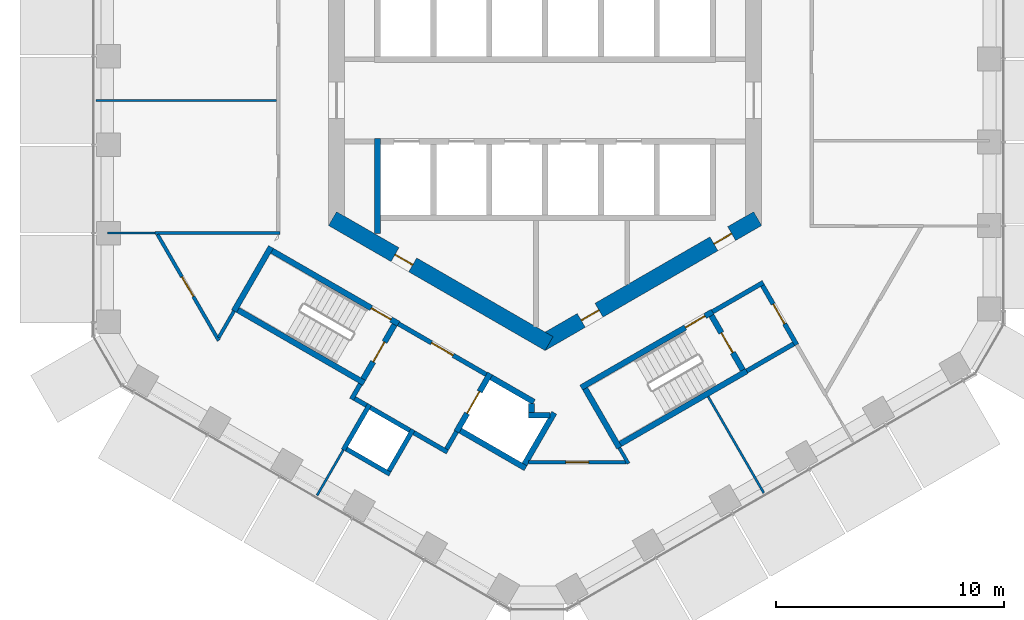
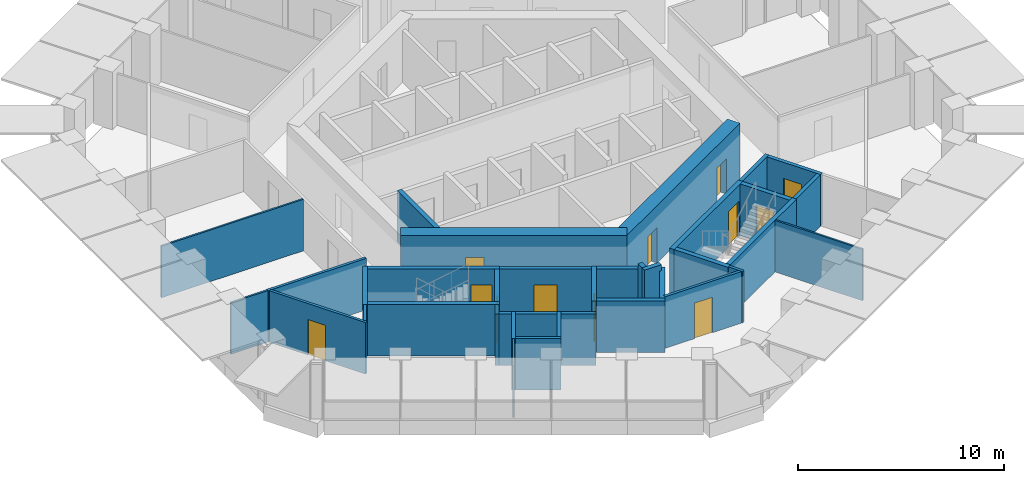
# One storey, part 13 of 19: 38 walls, 12 doors, 12 openings.
"""IFC4 building model written with IfcOpenShell, lengths in metres."""

from ifc_helpers import new_model, si_unit, direction, frame, frame_2d, origin, place, context, subcontext, project, spatial, rectangle, extrude, material, layer, layer_set, type_object, element, fill, save


model = new_model("IFC4")

# Units and contexts
model_context = context("Model", 3, precision=1e-05, world=origin(), true_north=direction((0.0, 1.0)))
body_context = subcontext(model_context, "Body", "Model", "MODEL_VIEW")
ifc_project = project(units=[si_unit("LENGTHUNIT", "METRE"), si_unit("AREAUNIT", "SQUARE_METRE"), si_unit("VOLUMEUNIT", "CUBIC_METRE"), si_unit("PLANEANGLEUNIT", "RADIAN"), si_unit("MASSUNIT", "GRAM", prefix="KILO")], contexts=[model_context])

# Site, building, storey
site_placement = place(None, origin())
site = spatial("IfcSite", under=ifc_project, at=site_placement, CompositionType="ELEMENT")
building_placement = place(site_placement, origin())
building = spatial("IfcBuilding", under=site, at=building_placement, Name="Ayvan Gate Tower", CompositionType="ELEMENT")
storey_placement = place(building_placement, frame((0.0, 0.0, 100.10009765625)))
storey = spatial("IfcBuildingStorey", under=building, at=storey_placement, Name="L26", CompositionType="ELEMENT", Elevation=100.10009765625)

# Wall, opening, door
ifc_material_1 = material(Name="Concrete C70/85", Category="concrete")
ifc_layer_1 = layer(ifc_material_1, 0.699951171875)
ifc_layer_set_1 = layer_set([ifc_layer_1], Name="Concrete C70/85")
wall_type_1 = type_object("IfcWallType", Name="Core wall 700 C70/85", PredefinedType="SHEAR", material=ifc_layer_set_1)
wall_1_placement = place(storey_placement, frame((-9.324951171875, -5.181640625, 0.0), z_axis=(0.0, 0.0, 1.0), x_axis=(0.866023993627, -0.500002442456, 0.0)))
wall_1 = element("IfcWall", 1, at=wall_1_placement, inside=storey, type_object=wall_type_1, Name="CORE-L26-4", PredefinedType="SHEAR", context=body_context, shape_type="SweptSolid", body=[
    extrude(rectangle(XDim=10.9697265625, YDim=0.699951171875, at=frame_2d((5.48486328125, 0.0))), origin(), (0.0, 0.0, 1.0), 3.39990234375),
])
opening_1_placement = place(wall_1_placement, frame((3.16357421875, 0.0, 0.0)))
opening_1 = element("IfcOpeningElement", 2, at=opening_1_placement, cuts=wall_1, Name="Opening L26-D36", PredefinedType="OPENING", context=body_context, shape_type="SweptSolid", body=[
    extrude(rectangle(XDim=0.89990234375, YDim=2.10009765625, at=frame_2d((0.449951171875, 1.050048828125))), frame((0.0, 0.35986328125, 0.0), z_axis=(0.0, -1.0, 0.0), x_axis=(1.0, 0.0, 0.0)), (0.0, 0.0, 1.0), 0.719970703125),
])
ifc_material_2 = material(Name="Timber door leaf", Category="wood")
door_type_1 = type_object("IfcDoorType", Name="DT-900", OperationType="NOTDEFINED", PredefinedType="DOOR", material=ifc_material_2)
door_1_placement = place(opening_1_placement, origin())
door_1 = element("IfcDoor", 3, at=door_1_placement, inside=storey, type_object=door_type_1, Name="CD-L26-36", OperationType="SINGLE_SWING_RIGHT", OverallHeight=2.10009765625, OverallWidth=0.89990234375, PredefinedType="DOOR", context=body_context, shape_type="SweptSolid", body=[
    extrude(rectangle(XDim=0.89990234375, YDim=2.10009765625, at=frame_2d((0.449951171875, 1.050048828125))), frame((0.0, 0.02490234375, 0.0), z_axis=(0.0, -1.0, 0.0), x_axis=(1.0, 0.0, 0.0)), (0.0, 0.0, 1.0), 0.050048828125),
])
fill(opening_1, door_1)

# Wall, openings, doors
wall_2_placement = place(storey_placement, frame((-0.175048828125, -10.66650390625, 0.0), z_axis=(0.0, 0.0, 1.0), x_axis=(0.866023993627, 0.500002442456, 0.0)))
wall_2 = element("IfcWall", 4, at=wall_2_placement, inside=storey, type_object=wall_type_1, Name="CORE-L26-5", PredefinedType="SHEAR", context=body_context, shape_type="SweptSolid", body=[
    extrude(rectangle(XDim=10.9697265625, YDim=0.699951171875, at=frame_2d((5.48486328125, 0.0))), origin(), (0.0, 0.0, 1.0), 3.39990234375),
])
opening_2_placement = place(wall_2_placement, frame((2.033203125, 0.0, 0.0)))
opening_2 = element("IfcOpeningElement", 5, at=opening_2_placement, cuts=wall_2, Name="Opening L26-D37", PredefinedType="OPENING", context=body_context, shape_type="SweptSolid", body=[
    extrude(rectangle(XDim=0.89990234375, YDim=2.10009765625, at=frame_2d((0.449951171875, 1.050048828125))), frame((0.0, 0.35986328125, 0.0), z_axis=(0.0, -1.0, 0.0), x_axis=(1.0, 0.0, 0.0)), (0.0, 0.0, 1.0), 0.719970703125),
])
opening_3_placement = place(wall_2_placement, frame((8.753662109375, 0.0, 0.0)))
opening_3 = element("IfcOpeningElement", 6, at=opening_3_placement, cuts=wall_2, Name="Opening L26-D38", PredefinedType="OPENING", context=body_context, shape_type="SweptSolid", body=[
    extrude(rectangle(XDim=0.89990234375, YDim=2.10009765625, at=frame_2d((0.449951171875, 1.050048828125))), frame((0.0, 0.35986328125, 0.0), z_axis=(0.0, -1.0, 0.0), x_axis=(1.0, 0.0, 0.0)), (0.0, 0.0, 1.0), 0.719970703125),
])
door_2_placement = place(opening_2_placement, origin())
door_2 = element("IfcDoor", 7, at=door_2_placement, inside=storey, type_object=door_type_1, Name="CD-L26-37", OperationType="SINGLE_SWING_LEFT", OverallHeight=2.10009765625, OverallWidth=0.89990234375, PredefinedType="DOOR", context=body_context, shape_type="SweptSolid", body=[
    extrude(rectangle(XDim=0.89990234375, YDim=2.10009765625, at=frame_2d((0.449951171875, 1.050048828125))), frame((0.0, 0.02490234375, 0.0), z_axis=(0.0, -1.0, 0.0), x_axis=(1.0, 0.0, 0.0)), (0.0, 0.0, 1.0), 0.050048828125),
])
fill(opening_2, door_2)
door_3_placement = place(opening_3_placement, origin())
door_3 = element("IfcDoor", 8, at=door_3_placement, inside=storey, type_object=door_type_1, Name="CD-L26-38", OperationType="SINGLE_SWING_RIGHT", OverallHeight=2.10009765625, OverallWidth=0.89990234375, PredefinedType="DOOR", context=body_context, shape_type="SweptSolid", body=[
    extrude(rectangle(XDim=0.89990234375, YDim=2.10009765625, at=frame_2d((0.449951171875, 1.050048828125))), frame((0.0, 0.02490234375, 0.0), z_axis=(0.0, -1.0, 0.0), x_axis=(1.0, 0.0, 0.0)), (0.0, 0.0, 1.0), 0.050048828125),
])
fill(opening_3, door_3)

# Wall
ifc_material_3 = material(Name="Plasterboard on steel stud", Category="steel")
ifc_layer_2 = layer(ifc_material_3, 0.14990234375)
ifc_layer_set_2 = layer_set([ifc_layer_2], Name="Plasterboard on steel stud")
wall_type_2 = type_object("IfcWallType", Name="WT-CORR-150", PredefinedType="PARTITIONING", material=ifc_layer_set_2)
wall_3_placement = place(storey_placement, frame((-17.11572265625, -5.813720703125, 0.0), z_axis=(0.0, 0.0, 1.0), x_axis=(1.0, 0.0, 0.0)))
element("IfcWall", 9, at=wall_3_placement, inside=storey, type_object=wall_type_2, Name="IW-L26-001", PredefinedType="PARTITIONING", context=body_context, shape_type="SweptSolid", body=[
    extrude(rectangle(XDim=5.49072265625, YDim=0.14990234375, at=frame_2d((2.745361328125, 0.0))), origin(), (0.0, 0.0, 1.0), 3.0498046875),
])

# Wall, opening, door
wall_4_placement = place(storey_placement, frame((-14.318115234375, -10.529541015625, 0.0), z_axis=(0.0, 0.0, 1.0), x_axis=(-0.499996591357, 0.866027371756, 0.0)))
wall_4 = element("IfcWall", 10, at=wall_4_placement, inside=storey, type_object=wall_type_2, Name="IW-L26-005", PredefinedType="PARTITIONING", context=body_context, shape_type="SweptSolid", body=[
    extrude(rectangle(XDim=5.37060546875, YDim=0.14990234375, at=frame_2d((2.685302734375, 0.0))), origin(), (0.0, 0.0, 1.0), 3.0498046875),
])
opening_4_placement = place(wall_4_placement, frame((2.222900390625, 0.0, 0.0)))
opening_4 = element("IfcOpeningElement", 11, at=opening_4_placement, cuts=wall_4, Name="Opening L26-D25", PredefinedType="OPENING", context=body_context, shape_type="SweptSolid", body=[
    extrude(rectangle(XDim=1.0, YDim=2.10009765625, at=frame_2d((0.5, 1.050048828125))), frame((0.0, 0.0849609375, 0.0), z_axis=(0.0, -1.0, 0.0), x_axis=(1.0, 0.0, 0.0)), (0.0, 0.0, 1.0), 0.169921875),
])
door_type_2 = type_object("IfcDoorType", Name="DT-1000", OperationType="NOTDEFINED", PredefinedType="DOOR", material=ifc_material_2)
door_4_placement = place(opening_4_placement, origin())
door_4 = element("IfcDoor", 12, at=door_4_placement, inside=storey, type_object=door_type_2, Name="ID-L26-025", OperationType="SINGLE_SWING_LEFT", OverallHeight=2.10009765625, OverallWidth=1.0, PredefinedType="DOOR", context=body_context, shape_type="SweptSolid", body=[
    extrude(rectangle(XDim=1.0, YDim=2.10009765625, at=frame_2d((0.5, 1.050048828125))), frame((0.0, 0.02490234375, 0.0), z_axis=(0.0, -1.0, 0.0), x_axis=(1.0, 0.0, 0.0)), (0.0, 0.0, 1.0), 0.050048828125),
])
fill(opening_4, door_4)

# Walls
wall_5_placement = place(storey_placement, frame((-13.647705078125, -9.23876953125, 0.0), z_axis=(0.0, 0.0, 1.0), x_axis=(-0.500095536422, -0.865970238779, 0.0)))
element("IfcWall", 13, at=wall_5_placement, inside=storey, type_object=wall_type_2, Name="IW-L26-007", PredefinedType="PARTITIONING", context=body_context, shape_type="SweptSolid", body=[
    extrude(rectangle(XDim=1.340576171875, YDim=0.14990234375, at=frame_2d((0.67041015625, 0.0))), origin(), (0.0, 0.0, 1.0), 3.0498046875),
])
wall_6_placement = place(storey_placement, frame((3.255615234375, -15.23876953125, 0.0), z_axis=(0.0, 0.0, 1.0), x_axis=(0.499925626596, -0.866068339032, 0.0)))
element("IfcWall", 14, at=wall_6_placement, inside=storey, type_object=wall_type_2, Name="IW-L26-065", PredefinedType="PARTITIONING", context=body_context, shape_type="SweptSolid", body=[
    extrude(rectangle(XDim=0.79736328125, YDim=0.14990234375, at=frame_2d((0.398681640625, 0.0))), origin(), (0.0, 0.0, 1.0), 3.0498046875),
])

# Wall, opening, door
wall_7_placement = place(storey_placement, frame((3.5419921875, -15.864501953125, 0.0), z_axis=(0.0, 0.0, 1.0), x_axis=(-1.0, 0.0, 0.0)))
wall_7 = element("IfcWall", 15, at=wall_7_placement, inside=storey, type_object=wall_type_2, Name="IW-L26-070", PredefinedType="PARTITIONING", context=body_context, shape_type="SweptSolid", body=[
    extrude(rectangle(XDim=4.2626953125, YDim=0.14990234375, at=frame_2d((2.13134765625, 0.0))), origin(), (0.0, 0.0, 1.0), 3.0498046875),
])
opening_5_placement = place(wall_7_placement, frame((1.631103515625, 0.0, 0.0)))
opening_5 = element("IfcOpeningElement", 16, at=opening_5_placement, cuts=wall_7, Name="Opening L26-D26", PredefinedType="OPENING", context=body_context, shape_type="SweptSolid", body=[
    extrude(rectangle(XDim=1.0, YDim=2.10009765625, at=frame_2d((0.5, 1.050048828125))), frame((0.0, 0.0849609375, 0.0), z_axis=(0.0, -1.0, 0.0), x_axis=(1.0, 0.0, 0.0)), (0.0, 0.0, 1.0), 0.169921875),
])
door_5_placement = place(opening_5_placement, origin())
door_5 = element("IfcDoor", 17, at=door_5_placement, inside=storey, type_object=door_type_2, Name="ID-L26-026", OperationType="SINGLE_SWING_RIGHT", OverallHeight=2.10009765625, OverallWidth=1.0, PredefinedType="DOOR", context=body_context, shape_type="SweptSolid", body=[
    extrude(rectangle(XDim=1.0, YDim=2.10009765625, at=frame_2d((0.5, 1.050048828125))), frame((0.0, 0.02490234375, 0.0), z_axis=(0.0, -1.0, 0.0), x_axis=(1.0, 0.0, 0.0)), (0.0, 0.0, 1.0), 0.050048828125),
])
fill(opening_5, door_5)

# Walls
ifc_layer_3 = layer(ifc_material_3, 0.10009765625)
ifc_layer_set_3 = layer_set([ifc_layer_3], Name="Plasterboard on steel stud")
wall_type_3 = type_object("IfcWallType", Name="WT-PART-100", PredefinedType="PARTITIONING", material=ifc_layer_set_3)
wall_8_placement = place(storey_placement, frame((-17.11572265625, -5.813720703125, 0.0), z_axis=(0.0, 0.0, 1.0), x_axis=(-1.0, 0.0, 0.0)))
element("IfcWall", 18, at=wall_8_placement, inside=storey, type_object=wall_type_3, Name="IW-L26-000", PredefinedType="PARTITIONING", context=body_context, shape_type="SweptSolid", body=[
    extrude(rectangle(XDim=2.072998046875, YDim=0.10009765625, at=frame_2d((1.03662109375, 0.0))), origin(), (0.0, 0.0, 1.0), 3.0498046875),
])
wall_9_placement = place(storey_placement, frame((-11.77490234375, 0.0, 0.0), z_axis=(0.0, 0.0, 1.0), x_axis=(-1.0, 0.0, 0.0)))
element("IfcWall", 19, at=wall_9_placement, inside=storey, type_object=wall_type_3, Name="IW-L26-010", PredefinedType="PARTITIONING", context=body_context, shape_type="SweptSolid", body=[
    extrude(rectangle(XDim=7.934814453125, YDim=0.10009765625, at=frame_2d((3.96728515625, 0.0))), origin(), (0.0, 0.0, 1.0), 3.0498046875),
])
wall_10_placement = place(storey_placement, frame((-8.85009765625, -15.32861328125, 0.0), z_axis=(0.0, 0.0, 1.0), x_axis=(-0.500009533716, -0.866019899421, 0.0)))
element("IfcWall", 20, at=wall_10_placement, inside=storey, type_object=wall_type_3, Name="IW-L26-016", PredefinedType="PARTITIONING", context=body_context, shape_type="SweptSolid", body=[
    extrude(rectangle(XDim=2.306640625, YDim=0.10009765625, at=frame_2d((1.1533203125, 0.0))), origin(), (0.0, 0.0, 1.0), 3.0498046875),
])
wall_11_placement = place(storey_placement, frame((7.152587890625, -12.98876953125, 0.0), z_axis=(0.0, 0.0, 1.0), x_axis=(0.500025283505, -0.866010805854, 0.0)))
element("IfcWall", 21, at=wall_11_placement, inside=storey, type_object=wall_type_3, Name="IW-L26-077", PredefinedType="PARTITIONING", context=body_context, shape_type="SweptSolid", body=[
    extrude(rectangle(XDim=4.885009765625, YDim=0.10009765625, at=frame_2d((2.4423828125, 0.0))), origin(), (0.0, 0.0, 1.0), 3.0498046875),
])
ifc_layer_4 = layer(ifc_material_3, 0.199951171875)
ifc_layer_set_4 = layer_set([ifc_layer_4], Name="Plasterboard on steel stud")
wall_type_4 = type_object("IfcWallType", Name="WT-PLUMB-200", PredefinedType="PLUMBINGWALL", material=ifc_layer_set_4)
wall_12_placement = place(storey_placement, frame((-8.85009765625, -15.32861328125, 0.0), z_axis=(0.0, 0.0, 1.0), x_axis=(0.500077740698, 0.865980515519, 0.0)))
element("IfcWall", 22, at=wall_12_placement, inside=storey, type_object=wall_type_4, Name="IW-L26-014", PredefinedType="PLUMBINGWALL", context=body_context, shape_type="SweptSolid", body=[
    extrude(rectangle(XDim=2.300048828125, YDim=0.199951171875, at=frame_2d((1.14990234375, 0.0))), origin(), (0.0, 0.0, 1.0), 3.0498046875),
])
wall_13_placement = place(storey_placement, frame((-6.80810546875, -16.39208984375, 0.0), z_axis=(0.0, 0.0, 1.0), x_axis=(-0.866008176907, 0.50002983664, 0.0)))
element("IfcWall", 23, at=wall_13_placement, inside=storey, type_object=wall_type_4, Name="IW-L26-026", PredefinedType="PLUMBINGWALL", context=body_context, shape_type="SweptSolid", body=[
    extrude(rectangle(XDim=2.199951171875, YDim=0.199951171875, at=frame_2d((1.10009765625, 0.0))), origin(), (0.0, 0.0, 1.0), 3.0498046875),
])
wall_14_placement = place(storey_placement, frame((-5.794677734375, -14.436767578125, 0.0), z_axis=(0.0, 0.0, 1.0), x_axis=(-0.500027713859, -0.866009402589, 0.0)))
element("IfcWall", 24, at=wall_14_placement, inside=storey, type_object=wall_type_4, Name="IW-L26-029", PredefinedType="PLUMBINGWALL", context=body_context, shape_type="SweptSolid", body=[
    extrude(rectangle(XDim=2.10009765625, YDim=0.199951171875, at=frame_2d((1.050048828125, 0.0))), origin(), (0.0, 0.0, 1.0), 3.0498046875),
])
wall_15_placement = place(storey_placement, frame((-5.931396484375, -14.473388671875, 0.0), z_axis=(0.0, 0.0, 1.0), x_axis=(-0.866041268327, 0.499972520799, 0.0)))
element("IfcWall", 25, at=wall_15_placement, inside=storey, type_object=wall_type_4, Name="IW-L26-030", PredefinedType="PLUMBINGWALL", context=body_context, shape_type="SweptSolid", body=[
    extrude(rectangle(XDim=2.0, YDim=0.199951171875, at=frame_2d((1.0, 0.0))), origin(), (0.0, 0.0, 1.0), 3.0498046875),
])
ifc_layer_5 = layer(ifc_material_3, 0.199951171875)
ifc_layer_set_5 = layer_set([ifc_layer_5], Name="Plasterboard on steel stud")
wall_type_5 = type_object("IfcWallType", Name="WT-RATED-200", PredefinedType="PARTITIONING", material=ifc_layer_set_5)
wall_16_placement = place(storey_placement, frame((-8.492919921875, -13.110107421875, 0.0), z_axis=(0.0, 0.0, 1.0), x_axis=(0.500067724834, 0.865986299303, 0.0)))
element("IfcWall", 26, at=wall_16_placement, inside=storey, type_object=wall_type_5, Name="IW-L26-017", PredefinedType="PARTITIONING", context=body_context, shape_type="SweptSolid", body=[
    extrude(rectangle(XDim=0.775390625, YDim=0.199951171875, at=frame_2d((0.3876953125, 0.0))), origin(), (0.0, 0.0, 1.0), 3.0498046875),
])
wall_17_placement = place(storey_placement, frame((-7.83642578125, -13.373291015625, 0.0), z_axis=(0.0, 0.0, 1.0), x_axis=(-0.866232998003, 0.499640263761, 0.0)))
element("IfcWall", 27, at=wall_17_placement, inside=storey, type_object=wall_type_5, Name="IW-L26-019", PredefinedType="PARTITIONING", context=body_context, shape_type="SweptSolid", body=[
    extrude(rectangle(XDim=0.60009765625, YDim=0.199951171875, at=frame_2d((0.300048828125, 0.0))), origin(), (0.0, 0.0, 1.0), 3.0498046875),
])

# Wall, opening, door
wall_18_placement = place(storey_placement, frame((-6.4345703125, -9.794921875, 0.0), z_axis=(0.0, 0.0, 1.0), x_axis=(0.866012907634, -0.500021643343, 0.0)))
wall_18 = element("IfcWall", 28, at=wall_18_placement, inside=storey, type_object=wall_type_5, Name="IW-L26-028", PredefinedType="PARTITIONING", context=body_context, shape_type="SweptSolid", body=[
    extrude(rectangle(XDim=4.449951171875, YDim=0.199951171875, at=frame_2d((2.22509765625, 0.0))), origin(), (0.0, 0.0, 1.0), 3.0498046875),
])
opening_6_placement = place(wall_18_placement, frame((1.675048828125, 0.0, 0.0)))
opening_6 = element("IfcOpeningElement", 29, at=opening_6_placement, cuts=wall_18, Name="Opening L26-D12", PredefinedType="OPENING", context=body_context, shape_type="SweptSolid", body=[
    extrude(rectangle(XDim=1.10009765625, YDim=2.10009765625, at=frame_2d((0.550048828125, 1.050048828125))), frame((0.0, 0.10986328125, 0.0), z_axis=(0.0, -1.0, 0.0), x_axis=(1.0, 0.0, 0.0)), (0.0, 0.0, 1.0), 0.219970703125),
])
door_type_3 = type_object("IfcDoorType", Name="DT-1100", OperationType="NOTDEFINED", PredefinedType="DOOR", material=ifc_material_2)
door_6_placement = place(opening_6_placement, origin())
door_6 = element("IfcDoor", 30, at=door_6_placement, inside=storey, type_object=door_type_3, Name="ID-L26-012", OperationType="SINGLE_SWING_RIGHT", OverallHeight=2.10009765625, OverallWidth=1.10009765625, PredefinedType="DOOR", context=body_context, shape_type="SweptSolid", body=[
    extrude(rectangle(XDim=1.10009765625, YDim=2.10009765625, at=frame_2d((0.550048828125, 1.050048828125))), frame((0.0, 0.02490234375, 0.0), z_axis=(0.0, -1.0, 0.0), x_axis=(1.0, 0.0, 0.0)), (0.0, 0.0, 1.0), 0.050048828125),
])
fill(opening_6, door_6)

# Walls
wall_19_placement = place(storey_placement, frame((-4.285888671875, -15.42333984375, 0.0), z_axis=(0.0, 0.0, 1.0), x_axis=(-0.866025371046, 0.500000056704, 0.0)))
element("IfcWall", 31, at=wall_19_placement, inside=storey, type_object=wall_type_5, Name="IW-L26-035", PredefinedType="PARTITIONING", context=body_context, shape_type="SweptSolid", body=[
    extrude(rectangle(XDim=1.7001953125, YDim=0.199951171875, at=frame_2d((0.85009765625, 0.0))), origin(), (0.0, 0.0, 1.0), 3.0498046875),
])
wall_20_placement = place(storey_placement, frame((-3.885009765625, -14.52880859375, 0.0), z_axis=(0.0, 0.0, 1.0), x_axis=(-0.499859285417, -0.866106630146, 0.0)))
element("IfcWall", 32, at=wall_20_placement, inside=storey, type_object=wall_type_5, Name="IW-L26-038", PredefinedType="PARTITIONING", context=body_context, shape_type="SweptSolid", body=[
    extrude(rectangle(XDim=0.875244140625, YDim=0.199951171875, at=frame_2d((0.4375, 0.0))), origin(), (0.0, 0.0, 1.0), 3.0498046875),
])
wall_21_placement = place(storey_placement, frame((7.343994140625, -9.27001953125, 0.0), z_axis=(0.0, 0.0, 1.0), x_axis=(0.866005588531, 0.500034319456, 0.0)))
element("IfcWall", 33, at=wall_21_placement, inside=storey, type_object=wall_type_5, Name="IW-L26-080", PredefinedType="PARTITIONING", context=body_context, shape_type="SweptSolid", body=[
    extrude(rectangle(XDim=2.574951171875, YDim=0.199951171875, at=frame_2d((1.28759765625, 0.0))), origin(), (0.0, 0.0, 1.0), 3.0498046875),
])

# Wall, opening, door
wall_22_placement = place(storey_placement, frame((9.537353515625, -8.119140625, 0.0), z_axis=(0.0, 0.0, 1.0), x_axis=(0.499990139034, -0.866031096941, 0.0)))
wall_22 = element("IfcWall", 34, at=wall_22_placement, inside=storey, type_object=wall_type_5, Name="IW-L26-088", PredefinedType="PARTITIONING", context=body_context, shape_type="SweptSolid", body=[
    extrude(rectangle(XDim=3.0, YDim=0.199951171875, at=frame_2d((1.5, 0.0))), origin(), (0.0, 0.0, 1.0), 3.0498046875),
])
opening_7_placement = place(wall_22_placement, frame((0.93505859375, 0.0, 0.0)))
opening_7 = element("IfcOpeningElement", 35, at=opening_7_placement, cuts=wall_22, Name="Opening L26-D15", PredefinedType="OPENING", context=body_context, shape_type="SweptSolid", body=[
    extrude(rectangle(XDim=1.0, YDim=2.10009765625, at=frame_2d((0.5, 1.050048828125))), frame((0.0, 0.10986328125, 0.0), z_axis=(0.0, -1.0, 0.0), x_axis=(1.0, 0.0, 0.0)), (0.0, 0.0, 1.0), 0.219970703125),
])
door_7_placement = place(opening_7_placement, origin())
door_7 = element("IfcDoor", 36, at=door_7_placement, inside=storey, type_object=door_type_2, Name="ID-L26-015", OperationType="SINGLE_SWING_LEFT", OverallHeight=2.10009765625, OverallWidth=1.0, PredefinedType="DOOR", context=body_context, shape_type="SweptSolid", body=[
    extrude(rectangle(XDim=1.0, YDim=2.10009765625, at=frame_2d((0.5, 1.050048828125))), frame((0.0, 0.02490234375, 0.0), z_axis=(0.0, -1.0, 0.0), x_axis=(1.0, 0.0, 0.0)), (0.0, 0.0, 1.0), 0.050048828125),
])
fill(opening_7, door_7)

# Walls
wall_23_placement = place(storey_placement, frame((10.900634765625, -10.6806640625, 0.0), z_axis=(0.0, 0.0, 1.0), x_axis=(-0.866007538022, -0.500030943131, 0.0)))
element("IfcWall", 37, at=wall_23_placement, inside=storey, type_object=wall_type_5, Name="IW-L26-089", PredefinedType="PARTITIONING", context=body_context, shape_type="SweptSolid", body=[
    extrude(rectangle(XDim=2.374755859375, YDim=0.199951171875, at=frame_2d((1.1875, 0.0))), origin(), (0.0, 0.0, 1.0), 3.0498046875),
])
ifc_material_4 = material(Name="Concrete C50/60", Category="concrete")
ifc_layer_6 = layer(ifc_material_4, 0.25)
ifc_layer_set_6 = layer_set([ifc_layer_6], Name="Concrete C50/60")
wall_type_6 = type_object("IfcWallType", Name="WT-RC-250", PredefinedType="SHEAR", material=ifc_layer_set_6)
wall_24_placement = place(storey_placement, frame((-13.64794921875, -9.23876953125, 0.0), z_axis=(0.0, 0.0, 1.0), x_axis=(0.500017246033, 0.866015446554, 0.0)))
element("IfcWall", 38, at=wall_24_placement, inside=storey, type_object=wall_type_6, Name="IW-L26-006", PredefinedType="SHEAR", context=body_context, shape_type="SweptSolid", body=[
    extrude(rectangle(XDim=3.25, YDim=0.25, at=frame_2d((1.625, 0.0))), origin(), (0.0, 0.0, 1.0), 3.0498046875),
])

# Wall, opening, door
wall_25_placement = place(storey_placement, frame((-11.97705078125, -6.594970703125, 0.0), z_axis=(0.0, 0.0, 1.0), x_axis=(0.866025499775, -0.499999833739, 0.0)))
wall_25 = element("IfcWall", 39, at=wall_25_placement, inside=storey, type_object=wall_type_6, Name="IW-L26-009", PredefinedType="SHEAR", context=body_context, shape_type="SweptSolid", body=[
    extrude(rectangle(XDim=6.39990234375, YDim=0.25, at=frame_2d((3.199951171875, 0.0))), origin(), (0.0, 0.0, 1.0), 3.0498046875),
])
opening_8_placement = place(wall_25_placement, frame((5.02490234375, 0.0, 0.0)))
opening_8 = element("IfcOpeningElement", 40, at=opening_8_placement, cuts=wall_25, Name="Opening L26-D10", PredefinedType="OPENING", context=body_context, shape_type="SweptSolid", body=[
    extrude(rectangle(XDim=1.0, YDim=2.10009765625, at=frame_2d((0.5, 1.050048828125))), frame((0.0, 0.135009765625, 0.0), z_axis=(0.0, -1.0, 0.0), x_axis=(1.0, 0.0, 0.0)), (0.0, 0.0, 1.0), 0.27001953125),
])
door_8_placement = place(opening_8_placement, origin())
door_8 = element("IfcDoor", 41, at=door_8_placement, inside=storey, type_object=door_type_2, Name="ID-L26-010", OperationType="SINGLE_SWING_RIGHT", OverallHeight=2.10009765625, OverallWidth=1.0, PredefinedType="DOOR", context=body_context, shape_type="SweptSolid", body=[
    extrude(rectangle(XDim=1.0, YDim=2.10009765625, at=frame_2d((0.5, 1.050048828125))), frame((0.0, 0.02490234375, 0.0), z_axis=(0.0, -1.0, 0.0), x_axis=(1.0, 0.0, 0.0)), (0.0, 0.0, 1.0), 0.050048828125),
])
fill(opening_8, door_8)

# Walls
wall_26_placement = place(storey_placement, frame((-7.9345703125, -12.39306640625, 0.0), z_axis=(0.0, 0.0, 1.0), x_axis=(-0.866025499775, 0.499999833739, 0.0)))
element("IfcWall", 42, at=wall_26_placement, inside=storey, type_object=wall_type_6, Name="IW-L26-018", PredefinedType="SHEAR", context=body_context, shape_type="SweptSolid", body=[
    extrude(rectangle(XDim=6.39990234375, YDim=0.25, at=frame_2d((3.199951171875, 0.0))), origin(), (0.0, 0.0, 1.0), 3.0498046875),
])
wall_27_placement = place(storey_placement, frame((-7.35009765625, -5.845703125, 0.0), z_axis=(0.0, 0.0, 1.0), x_axis=(0.0, 1.0, 0.0)))
element("IfcWall", 43, at=wall_27_placement, inside=storey, type_object=wall_type_6, Name="IW-L26-021", PredefinedType="SHEAR", context=body_context, shape_type="SweptSolid", body=[
    extrude(rectangle(XDim=4.170654296875, YDim=0.25, at=frame_2d((2.08544921875, 0.0))), origin(), (0.0, 0.0, 1.0), 3.0498046875),
])

# Wall, opening, door
wall_28_placement = place(storey_placement, frame((-6.605224609375, -9.8408203125, 0.0), z_axis=(0.0, 0.0, 1.0), x_axis=(-0.499996545922, -0.866027397988, 0.0)))
wall_28 = element("IfcWall", 44, at=wall_28_placement, inside=storey, type_object=wall_type_6, Name="IW-L26-027", PredefinedType="SHEAR", context=body_context, shape_type="SweptSolid", body=[
    extrude(rectangle(XDim=2.75, YDim=0.25, at=frame_2d((1.375, 0.0))), origin(), (0.0, 0.0, 1.0), 3.0498046875),
])
opening_9_placement = place(wall_28_placement, frame((0.875, 0.0, 0.0)))
opening_9 = element("IfcOpeningElement", 45, at=opening_9_placement, cuts=wall_28, Name="Opening L26-D11", PredefinedType="OPENING", context=body_context, shape_type="SweptSolid", body=[
    extrude(rectangle(XDim=1.0, YDim=2.10009765625, at=frame_2d((0.5, 1.050048828125))), frame((0.0, 0.135009765625, 0.0), z_axis=(0.0, -1.0, 0.0), x_axis=(1.0, 0.0, 0.0)), (0.0, 0.0, 1.0), 0.27001953125),
])
door_9_placement = place(opening_9_placement, origin())
door_9 = element("IfcDoor", 46, at=door_9_placement, inside=storey, type_object=door_type_2, Name="ID-L26-011", OperationType="SINGLE_SWING_LEFT", OverallHeight=2.10009765625, OverallWidth=1.0, PredefinedType="DOOR", context=body_context, shape_type="SweptSolid", body=[
    extrude(rectangle(XDim=1.0, YDim=2.10009765625, at=frame_2d((0.5, 1.050048828125))), frame((0.0, 0.02490234375, 0.0), z_axis=(0.0, -1.0, 0.0), x_axis=(1.0, 0.0, 0.0)), (0.0, 0.0, 1.0), 0.050048828125),
])
fill(opening_9, door_9)

wall_29_placement = place(storey_placement, frame((-2.409912109375, -11.97412109375, 0.0), z_axis=(0.0, 0.0, 1.0), x_axis=(-0.500001826776, -0.866024349092, 0.0)))
wall_29 = element("IfcWall", 47, at=wall_29_placement, inside=storey, type_object=wall_type_6, Name="IW-L26-042", PredefinedType="SHEAR", context=body_context, shape_type="SweptSolid", body=[
    extrude(rectangle(XDim=2.9501953125, YDim=0.25, at=frame_2d((1.47509765625, 0.0))), origin(), (0.0, 0.0, 1.0), 3.0498046875),
])
opening_10_placement = place(wall_29_placement, frame((0.925048828125, 0.0, 0.0)))
opening_10 = element("IfcOpeningElement", 48, at=opening_10_placement, cuts=wall_29, Name="Opening L26-LD-FF2", PredefinedType="OPENING", context=body_context, shape_type="SweptSolid", body=[
    extrude(rectangle(XDim=1.10009765625, YDim=2.10009765625, at=frame_2d((0.550048828125, 1.050048828125))), frame((0.0, 0.135009765625, 0.0), z_axis=(0.0, -1.0, 0.0), x_axis=(1.0, 0.0, 0.0)), (0.0, 0.0, 1.0), 0.27001953125),
])
ifc_material_5 = material(Name="Stainless steel landing door", Category="steel")
door_type_4 = type_object("IfcDoorType", Name="DT-LANDING-1100", OperationType="SLIDING_TO_LEFT", PredefinedType="DOOR", material=ifc_material_5)
door_10_placement = place(opening_10_placement, origin())
door_10 = element("IfcDoor", 49, at=door_10_placement, inside=storey, type_object=door_type_4, Name="ID-L26-013", OperationType="SLIDING_TO_LEFT", OverallHeight=2.10009765625, OverallWidth=1.10009765625, PredefinedType="DOOR", context=body_context, shape_type="SweptSolid", body=[
    extrude(rectangle(XDim=1.10009765625, YDim=2.10009765625, at=frame_2d((0.550048828125, 1.050048828125))), frame((0.0, 0.02490234375, 0.0), z_axis=(0.0, -1.0, 0.0), x_axis=(1.0, 0.0, 0.0)), (0.0, 0.0, 1.0), 0.050048828125),
])
fill(opening_10, door_10)

# Walls
wall_30_placement = place(storey_placement, frame((-2.3642578125, -12.14501953125, 0.0), z_axis=(0.0, 0.0, 1.0), x_axis=(0.86603892542, -0.499976579108, 0.0)))
element("IfcWall", 50, at=wall_30_placement, inside=storey, type_object=wall_type_6, Name="IW-L26-043", PredefinedType="SHEAR", context=body_context, shape_type="SweptSolid", body=[
    extrude(rectangle(XDim=2.162109375, YDim=0.25, at=frame_2d((1.0810546875, 0.0))), origin(), (0.0, 0.0, 1.0), 3.0498046875),
])
wall_31_placement = place(storey_placement, frame((-0.8564453125, -16.13330078125, 0.0), z_axis=(0.0, 0.0, 1.0), x_axis=(-0.866021716278, 0.500006386895, 0.0)))
element("IfcWall", 51, at=wall_31_placement, inside=storey, type_object=wall_type_6, Name="IW-L26-047", PredefinedType="SHEAR", context=body_context, shape_type="SweptSolid", body=[
    extrude(rectangle(XDim=3.2998046875, YDim=0.25, at=frame_2d((1.64990234375, 0.0))), origin(), (0.0, 0.0, 1.0), 3.0498046875),
])
wall_32_placement = place(storey_placement, frame((-0.902099609375, -15.96240234375, 0.0), z_axis=(0.0, 0.0, 1.0), x_axis=(0.499981517636, 0.866036074319, 0.0)))
element("IfcWall", 52, at=wall_32_placement, inside=storey, type_object=wall_type_6, Name="IW-L26-048", PredefinedType="SHEAR", context=body_context, shape_type="SweptSolid", body=[
    extrude(rectangle(XDim=2.6103515625, YDim=0.25, at=frame_2d((1.30517578125, 0.0))), origin(), (0.0, 0.0, 1.0), 3.0498046875),
])
wall_33_placement = place(storey_placement, frame((-0.72509765625, -13.81005859375, 0.0), z_axis=(0.0, 0.0, 1.0), x_axis=(1.0, 0.0, 0.0)))
element("IfcWall", 53, at=wall_33_placement, inside=storey, type_object=wall_type_6, Name="IW-L26-049", PredefinedType="SHEAR", context=body_context, shape_type="SweptSolid", body=[
    extrude(rectangle(XDim=0.940673828125, YDim=0.25, at=frame_2d((0.47021484375, 0.0))), origin(), (0.0, 0.0, 1.0), 3.39990234375),
])
wall_34_placement = place(storey_placement, frame((-0.60009765625, -13.28857421875, 0.0), z_axis=(0.0, 0.0, 1.0), x_axis=(0.0, -1.0, 0.0)))
element("IfcWall", 54, at=wall_34_placement, inside=storey, type_object=wall_type_6, Name="IW-L26-050", PredefinedType="SHEAR", context=body_context, shape_type="SweptSolid", body=[
    extrude(rectangle(XDim=0.396484375, YDim=0.25, at=frame_2d((0.1982421875, 0.0))), origin(), (0.0, 0.0, 1.0), 3.39990234375),
])

# Wall, opening, door
wall_35_placement = place(storey_placement, frame((1.584716796875, -12.594970703125, 0.0), z_axis=(0.0, 0.0, 1.0), x_axis=(0.866036417653, 0.499980922934, 0.0)))
wall_35 = element("IfcWall", 55, at=wall_35_placement, inside=storey, type_object=wall_type_6, Name="IW-L26-060", PredefinedType="SHEAR", context=body_context, shape_type="SweptSolid", body=[
    extrude(rectangle(XDim=6.650146484375, YDim=0.25, at=frame_2d((3.3251953125, 0.0))), origin(), (0.0, 0.0, 1.0), 3.0498046875),
])
opening_11_placement = place(wall_35_placement, frame((5.27490234375, 0.0, 0.0)))
opening_11 = element("IfcOpeningElement", 56, at=opening_11_placement, cuts=wall_35, Name="Opening L26-D14", PredefinedType="OPENING", context=body_context, shape_type="SweptSolid", body=[
    extrude(rectangle(XDim=1.0, YDim=2.10009765625, at=frame_2d((0.5, 1.050048828125))), frame((0.0, 0.135009765625, 0.0), z_axis=(0.0, -1.0, 0.0), x_axis=(1.0, 0.0, 0.0)), (0.0, 0.0, 1.0), 0.27001953125),
])
door_11_placement = place(opening_11_placement, origin())
door_11 = element("IfcDoor", 57, at=door_11_placement, inside=storey, type_object=door_type_2, Name="ID-L26-014", OperationType="SINGLE_SWING_RIGHT", OverallHeight=2.10009765625, OverallWidth=1.0, PredefinedType="DOOR", context=body_context, shape_type="SweptSolid", body=[
    extrude(rectangle(XDim=1.0, YDim=2.10009765625, at=frame_2d((0.5, 1.050048828125))), frame((0.0, 0.02490234375, 0.0), z_axis=(0.0, -1.0, 0.0), x_axis=(1.0, 0.0, 0.0)), (0.0, 0.0, 1.0), 0.050048828125),
])
fill(opening_11, door_11)

# Walls
wall_36_placement = place(storey_placement, frame((3.255615234375, -15.23876953125, 0.0), z_axis=(0.0, 0.0, 1.0), x_axis=(-0.50002537861, 0.866010750942, 0.0)))
element("IfcWall", 58, at=wall_36_placement, inside=storey, type_object=wall_type_6, Name="IW-L26-066", PredefinedType="SHEAR", context=body_context, shape_type="SweptSolid", body=[
    extrude(rectangle(XDim=2.999755859375, YDim=0.25, at=frame_2d((1.5, 0.0))), origin(), (0.0, 0.0, 1.0), 3.0498046875),
])
wall_37_placement = place(storey_placement, frame((3.30126953125, -15.068115234375, 0.0), z_axis=(0.0, 0.0, 1.0), x_axis=(0.866035036182, 0.499983315828, 0.0)))
element("IfcWall", 59, at=wall_37_placement, inside=storey, type_object=wall_type_6, Name="IW-L26-078", PredefinedType="SHEAR", context=body_context, shape_type="SweptSolid", body=[
    extrude(rectangle(XDim=6.400146484375, YDim=0.25, at=frame_2d((3.2001953125, 0.0))), origin(), (0.0, 0.0, 1.0), 3.0498046875),
])

# Wall, opening, door
wall_38_placement = place(storey_placement, frame((7.298095703125, -9.44091796875, 0.0), z_axis=(0.0, 0.0, 1.0), x_axis=(0.500034990121, -0.866005201286, 0.0)))
wall_38 = element("IfcWall", 60, at=wall_38_placement, inside=storey, type_object=wall_type_6, Name="IW-L26-079", PredefinedType="SHEAR", context=body_context, shape_type="SweptSolid", body=[
    extrude(rectangle(XDim=2.749755859375, YDim=0.25, at=frame_2d((1.375, 0.0))), origin(), (0.0, 0.0, 1.0), 3.0498046875),
])
opening_12_placement = place(wall_38_placement, frame((0.875, 0.0, 0.0)))
opening_12 = element("IfcOpeningElement", 61, at=opening_12_placement, cuts=wall_38, Name="Opening L26-D16", PredefinedType="OPENING", context=body_context, shape_type="SweptSolid", body=[
    extrude(rectangle(XDim=1.0, YDim=2.10009765625, at=frame_2d((0.5, 1.050048828125))), frame((0.0, 0.135009765625, 0.0), z_axis=(0.0, -1.0, 0.0), x_axis=(1.0, 0.0, 0.0)), (0.0, 0.0, 1.0), 0.27001953125),
])
door_12_placement = place(opening_12_placement, origin())
door_12 = element("IfcDoor", 62, at=door_12_placement, inside=storey, type_object=door_type_2, Name="ID-L26-016", OperationType="SINGLE_SWING_RIGHT", OverallHeight=2.10009765625, OverallWidth=1.0, PredefinedType="DOOR", context=body_context, shape_type="SweptSolid", body=[
    extrude(rectangle(XDim=1.0, YDim=2.10009765625, at=frame_2d((0.5, 1.050048828125))), frame((0.0, 0.02490234375, 0.0), z_axis=(0.0, -1.0, 0.0), x_axis=(1.0, 0.0, 0.0)), (0.0, 0.0, 1.0), 0.050048828125),
])
fill(opening_12, door_12)

save(model, "model.ifc")
